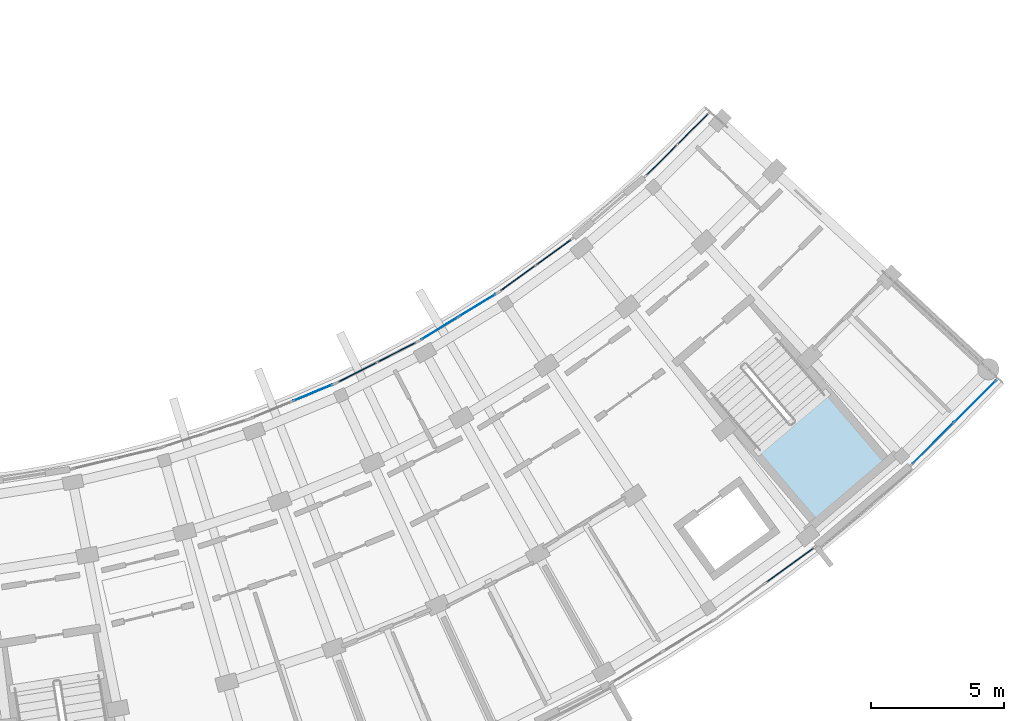
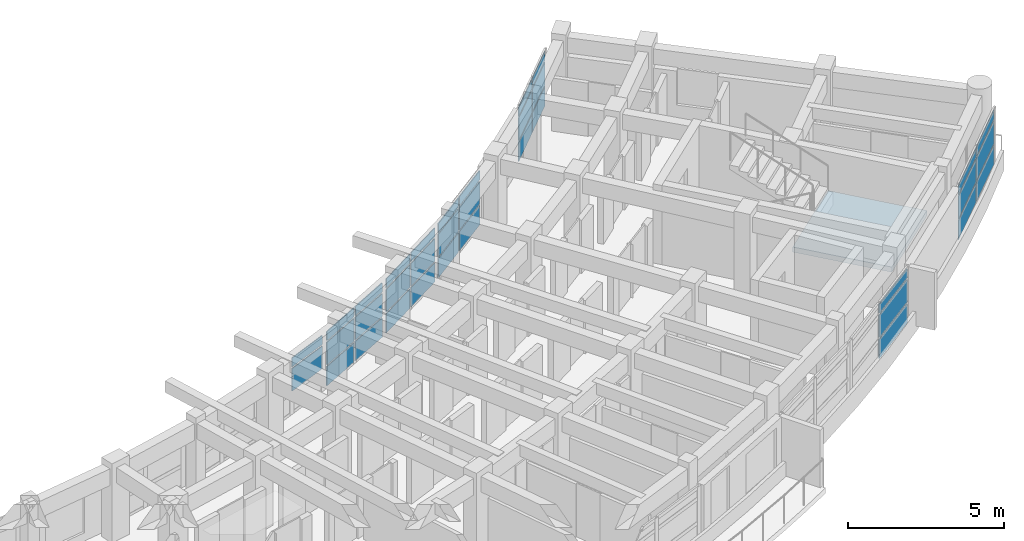
# One storey, part 27 of 55: 35 plates, 1 slab, 8 elements without a shape of their own.
"""IFC4 building model written with IfcOpenShell, lengths in metres."""

from ifc_helpers import new_model, si_unit, direction, frame, origin, origin_2d, place, context, subcontext, project, spatial, polyline, rectangle, outline, extrude, material, layer, layer_set, type_object, element, aggregate, save


model = new_model("IFC4")

# Units and contexts
model_context = context("Model", 3, precision=1e-05, world=origin(), true_north=direction((0.0, 1.0)))
body_context = subcontext(model_context, "Body", "Model", "MODEL_VIEW")
ifc_project = project(units=[si_unit("LENGTHUNIT", "METRE"), si_unit("AREAUNIT", "SQUARE_METRE"), si_unit("VOLUMEUNIT", "CUBIC_METRE"), si_unit("PLANEANGLEUNIT", "RADIAN"), si_unit("MASSUNIT", "GRAM", prefix="KILO")], contexts=[model_context])

# Site, building, storey
site_placement = place(None, origin())
site = spatial("IfcSite", under=ifc_project, at=site_placement, CompositionType="ELEMENT")
building_placement = place(site_placement, origin())
building = spatial("IfcBuilding", under=site, at=building_placement, Name="Zimvara Arc Housing Community", CompositionType="ELEMENT")
storey_placement = place(building_placement, frame((0.0, 0.0, 14.300048828125)))
storey = spatial("IfcBuildingStorey", under=building, at=storey_placement, Name="L04", CompositionType="ELEMENT", Elevation=14.300048828125)

# Curtain wall, plates
ifc_material_1 = material(Name="Anodised Aluminium AW-6063", Category="aluminium")
curtain_wall_type_1 = type_object("IfcCurtainWallType", Name="CW-SYS-08", PredefinedType="USERDEFINED", material=ifc_material_1)
curtain_wall_1_placement = place(storey_placement, origin())
curtain_wall_1 = element("IfcCurtainWall", 1, at=curtain_wall_1_placement, inside=storey, type_object=curtain_wall_type_1, Name="cw:blkD:L04:in:b5", ObjectType="CURTAIN WALL", PredefinedType="USERDEFINED")
ifc_material_2 = material(Name="Pale-Gold Anodised Aluminium Spandrel Panel", Category="aluminium")
ifc_layer_1 = layer(ifc_material_2, 0.035888671875)
ifc_layer_set_1 = layer_set([ifc_layer_1], Name="Pale-Gold Anodised Aluminium Spandrel Panel")
plate_type_1 = type_object("IfcPlateType", Name="CWP-GLD-36", PredefinedType="CURTAIN_PANEL", material=ifc_layer_set_1)
plate_1_placement = place(storey_placement, frame((145.447265625, 69.740234375, 0.06494140625), z_axis=(0.0, 0.0, 1.0), x_axis=(0.89140306074, 0.453211411267, 0.0)))
plate_1 = element("IfcPlate", 2, at=plate_1_placement, type_object=plate_type_1, Name="CW08 panel 1.1", PredefinedType="CURTAIN_PANEL", context=body_context, shape_type="SweptSolid", body=[
    extrude(rectangle(XDim=1.59423828125, YDim=0.035888671875, at=origin_2d()), origin(), (0.0, 0.0, 1.0), 0.75244140625),
])
plate_2_placement = place(storey_placement, frame((145.447265625, 69.740234375, 0.88232421875), z_axis=(0.0, 0.0, 1.0), x_axis=(0.89140306074, 0.453211411267, 0.0)))
plate_2 = element("IfcPlate", 3, at=plate_2_placement, type_object=plate_type_1, Name="CW08 panel 1.2", PredefinedType="CURTAIN_PANEL", context=body_context, shape_type="SweptSolid", body=[
    extrude(rectangle(XDim=1.59423828125, YDim=0.035888671875, at=origin_2d()), origin(), (0.0, 0.0, 1.0), 0.885009765625),
])
plate_3_placement = place(storey_placement, frame((145.447265625, 69.740234375, 1.83251953125), z_axis=(0.0, 0.0, 1.0), x_axis=(0.89140306074, 0.453211411267, 0.0)))
plate_3 = element("IfcPlate", 4, at=plate_3_placement, type_object=plate_type_1, Name="CW08 panel 1.3", PredefinedType="CURTAIN_PANEL", context=body_context, shape_type="SweptSolid", body=[
    extrude(rectangle(XDim=1.59423828125, YDim=0.035888671875, at=origin_2d()), origin(), (0.0, 0.0, 1.0), 0.3525390625),
])
plate_4_placement = place(storey_placement, frame((146.92626953125, 70.4921875, 0.06494140625), z_axis=(0.0, 0.0, 1.0), x_axis=(0.89140306074, 0.453211411267, 0.0)))
plate_4 = element("IfcPlate", 5, at=plate_4_placement, type_object=plate_type_1, Name="CW08 panel 2.1", PredefinedType="CURTAIN_PANEL", context=body_context, shape_type="SweptSolid", body=[
    extrude(rectangle(XDim=1.59423828125, YDim=0.035888671875, at=origin_2d()), origin(), (0.0, 0.0, 1.0), 0.75244140625),
])
plate_5_placement = place(storey_placement, frame((146.92626953125, 70.4921875, 0.88232421875), z_axis=(0.0, 0.0, 1.0), x_axis=(0.89140306074, 0.453211411267, 0.0)))
plate_5 = element("IfcPlate", 6, at=plate_5_placement, type_object=plate_type_1, Name="CW08 panel 2.2", PredefinedType="CURTAIN_PANEL", context=body_context, shape_type="SweptSolid", body=[
    extrude(rectangle(XDim=1.59423828125, YDim=0.035888671875, at=origin_2d()), origin(), (0.0, 0.0, 1.0), 0.885009765625),
])
plate_6_placement = place(storey_placement, frame((146.92626953125, 70.4921875, 1.83251953125), z_axis=(0.0, 0.0, 1.0), x_axis=(0.89140306074, 0.453211411267, 0.0)))
plate_6 = element("IfcPlate", 7, at=plate_6_placement, type_object=plate_type_1, Name="CW08 panel 2.3", PredefinedType="CURTAIN_PANEL", context=body_context, shape_type="SweptSolid", body=[
    extrude(rectangle(XDim=1.59423828125, YDim=0.035888671875, at=origin_2d()), origin(), (0.0, 0.0, 1.0), 0.3525390625),
])
aggregate(curtain_wall_1, [plate_1, plate_2, plate_3, plate_4, plate_5, plate_6])

ifc_material_3 = material(Name="Anodised Aluminium AW-6063", Category="aluminium")
curtain_wall_type_2 = type_object("IfcCurtainWallType", Name="CW-SYS-04", PredefinedType="USERDEFINED", material=ifc_material_3)
curtain_wall_2_placement = place(storey_placement, origin())
curtain_wall_2 = element("IfcCurtainWall", 8, at=curtain_wall_2_placement, inside=storey, type_object=curtain_wall_type_2, Name="cw:blkD:L04:in:b7", ObjectType="CURTAIN WALL", PredefinedType="USERDEFINED")
plate_7_placement = place(storey_placement, frame((151.483642578125, 73.279541015625, 0.06494140625), z_axis=(0.0, 0.0, 1.0), x_axis=(0.809529396709, 0.587079343755, 0.0)))
plate_7 = element("IfcPlate", 9, at=plate_7_placement, type_object=plate_type_1, Name="CW04 panel 1.1", PredefinedType="CURTAIN_PANEL", context=body_context, shape_type="SweptSolid", body=[
    extrude(rectangle(XDim=1.59423828125, YDim=0.035888671875, at=origin_2d()), origin(), (0.0, 0.0, 1.0), 0.75244140625),
])
plate_8_placement = place(storey_placement, frame((151.483642578125, 73.279541015625, 0.88232421875), z_axis=(0.0, 0.0, 1.0), x_axis=(0.809529396709, 0.587079343755, 0.0)))
plate_8 = element("IfcPlate", 10, at=plate_8_placement, type_object=plate_type_1, Name="CW04 panel 1.2", PredefinedType="CURTAIN_PANEL", context=body_context, shape_type="SweptSolid", body=[
    extrude(rectangle(XDim=1.59423828125, YDim=0.035888671875, at=origin_2d()), origin(), (0.0, 0.0, 1.0), 0.885009765625),
])
plate_9_placement = place(storey_placement, frame((151.483642578125, 73.279541015625, 1.83251953125), z_axis=(0.0, 0.0, 1.0), x_axis=(0.809529396709, 0.587079343755, 0.0)))
plate_9 = element("IfcPlate", 11, at=plate_9_placement, type_object=plate_type_1, Name="CW04 panel 1.3", PredefinedType="CURTAIN_PANEL", context=body_context, shape_type="SweptSolid", body=[
    extrude(rectangle(XDim=1.59423828125, YDim=0.035888671875, at=origin_2d()), origin(), (0.0, 0.0, 1.0), 0.3525390625),
])
plate_10_placement = place(storey_placement, frame((152.826904296875, 74.253662109375, 0.06494140625), z_axis=(0.0, 0.0, 1.0), x_axis=(0.809529396709, 0.587079343755, 0.0)))
plate_10 = element("IfcPlate", 12, at=plate_10_placement, type_object=plate_type_1, Name="CW04 panel 2.1", PredefinedType="CURTAIN_PANEL", context=body_context, shape_type="SweptSolid", body=[
    extrude(rectangle(XDim=1.59423828125, YDim=0.035888671875, at=origin_2d()), origin(), (0.0, 0.0, 1.0), 0.75244140625),
])
plate_11_placement = place(storey_placement, frame((152.826904296875, 74.253662109375, 0.88232421875), z_axis=(0.0, 0.0, 1.0), x_axis=(0.809529396709, 0.587079343755, 0.0)))
plate_11 = element("IfcPlate", 13, at=plate_11_placement, type_object=plate_type_1, Name="CW04 panel 2.2", PredefinedType="CURTAIN_PANEL", context=body_context, shape_type="SweptSolid", body=[
    extrude(rectangle(XDim=1.59423828125, YDim=0.035888671875, at=origin_2d()), origin(), (0.0, 0.0, 1.0), 0.885009765625),
])
plate_12_placement = place(storey_placement, frame((152.826904296875, 74.253662109375, 1.83251953125), z_axis=(0.0, 0.0, 1.0), x_axis=(0.809529396709, 0.587079343755, 0.0)))
plate_12 = element("IfcPlate", 14, at=plate_12_placement, type_object=plate_type_1, Name="CW04 panel 2.3", PredefinedType="CURTAIN_PANEL", context=body_context, shape_type="SweptSolid", body=[
    extrude(rectangle(XDim=1.59423828125, YDim=0.035888671875, at=origin_2d()), origin(), (0.0, 0.0, 1.0), 0.3525390625),
])
aggregate(curtain_wall_2, [plate_7, plate_8, plate_9, plate_10, plate_11, plate_12])

ifc_material_4 = material(Name="Anodised Aluminium AW-6063", Category="aluminium")
curtain_wall_type_3 = type_object("IfcCurtainWallType", Name="CW-SYS-05", PredefinedType="USERDEFINED", material=ifc_material_4)
curtain_wall_3_placement = place(storey_placement, origin())
curtain_wall_3 = element("IfcCurtainWall", 15, at=curtain_wall_3_placement, inside=storey, type_object=curtain_wall_type_3, Name="cw:blkD:L04:out:b9", ObjectType="CURTAIN WALL", PredefinedType="USERDEFINED")
ifc_material_5 = material(Name="Solar Control Low-E Double Glazing", Category="glass")
ifc_layer_2 = layer(ifc_material_5, 0.02392578125)
ifc_layer_set_2 = layer_set([ifc_layer_2], Name="Solar Control Low-E Double Glazing")
plate_type_2 = type_object("IfcPlateType", Name="CWP-GLZ-24", PredefinedType="CURTAIN_PANEL", material=ifc_layer_set_2)
plate_13_placement = place(storey_placement, frame((167.106689453125, 67.076904296875, 0.06494140625), z_axis=(0.0, 0.0, 1.0), x_axis=(0.707724012233, 0.706489010891, 0.0)))
plate_13 = element("IfcPlate", 16, at=plate_13_placement, type_object=plate_type_2, Name="CW05 panel 1.1", PredefinedType="CURTAIN_PANEL", context=body_context, shape_type="SweptSolid", body=[
    extrude(rectangle(XDim=2.173828125, YDim=0.02392578125, at=origin_2d()), origin(), (0.0, 0.0, 1.0), 0.75244140625),
])
plate_14_placement = place(storey_placement, frame((167.106689453125, 67.076904296875, 0.88232421875), z_axis=(0.0, 0.0, 1.0), x_axis=(0.707724012233, 0.706489010891, 0.0)))
plate_14 = element("IfcPlate", 17, at=plate_14_placement, type_object=plate_type_2, Name="CW05 panel 1.2", PredefinedType="CURTAIN_PANEL", context=body_context, shape_type="SweptSolid", body=[
    extrude(rectangle(XDim=2.173828125, YDim=0.02392578125, at=origin_2d()), origin(), (0.0, 0.0, 1.0), 0.885009765625),
])
plate_15_placement = place(storey_placement, frame((167.106689453125, 67.076904296875, 1.83251953125), z_axis=(0.0, 0.0, 1.0), x_axis=(0.707724012233, 0.706489010891, 0.0)))
plate_15 = element("IfcPlate", 18, at=plate_15_placement, type_object=plate_type_2, Name="CW05 panel 1.3", PredefinedType="CURTAIN_PANEL", context=body_context, shape_type="SweptSolid", body=[
    extrude(rectangle(XDim=2.173828125, YDim=0.02392578125, at=origin_2d()), origin(), (0.0, 0.0, 1.0), 0.3525390625),
])
plate_16_placement = place(storey_placement, frame((168.691162109375, 68.65869140625, 0.06494140625), z_axis=(0.0, 0.0, 1.0), x_axis=(0.707724012233, 0.706489010891, 0.0)))
plate_16 = element("IfcPlate", 19, at=plate_16_placement, type_object=plate_type_2, Name="CW05 panel 2.1", PredefinedType="CURTAIN_PANEL", context=body_context, shape_type="SweptSolid", body=[
    extrude(rectangle(XDim=2.173828125, YDim=0.02392578125, at=origin_2d()), origin(), (0.0, 0.0, 1.0), 0.75244140625),
])
plate_17_placement = place(storey_placement, frame((168.691162109375, 68.65869140625, 0.88232421875), z_axis=(0.0, 0.0, 1.0), x_axis=(0.707724012233, 0.706489010891, 0.0)))
plate_17 = element("IfcPlate", 20, at=plate_17_placement, type_object=plate_type_2, Name="CW05 panel 2.2", PredefinedType="CURTAIN_PANEL", context=body_context, shape_type="SweptSolid", body=[
    extrude(rectangle(XDim=2.173828125, YDim=0.02392578125, at=origin_2d()), origin(), (0.0, 0.0, 1.0), 0.885009765625),
])
plate_18_placement = place(storey_placement, frame((168.691162109375, 68.65869140625, 1.83251953125), z_axis=(0.0, 0.0, 1.0), x_axis=(0.707724012233, 0.706489010891, 0.0)))
plate_18 = element("IfcPlate", 21, at=plate_18_placement, type_object=plate_type_2, Name="CW05 panel 2.3", PredefinedType="CURTAIN_PANEL", context=body_context, shape_type="SweptSolid", body=[
    extrude(rectangle(XDim=2.173828125, YDim=0.02392578125, at=origin_2d()), origin(), (0.0, 0.0, 1.0), 0.3525390625),
])
aggregate(curtain_wall_3, [plate_13, plate_14, plate_15, plate_16, plate_17, plate_18])

ifc_material_6 = material(Name="Anodised Aluminium AW-6063", Category="aluminium")
curtain_wall_type_4 = type_object("IfcCurtainWallType", Name="CW-SYS-02", PredefinedType="USERDEFINED", material=ifc_material_6)
curtain_wall_4_placement = place(storey_placement, origin())
curtain_wall_4 = element("IfcCurtainWall", 22, at=curtain_wall_4_placement, inside=storey, type_object=curtain_wall_type_4, Name="cw:blkD:L04:in:b6", ObjectType="CURTAIN WALL", PredefinedType="USERDEFINED")
ifc_material_7 = material(Name="Solar Control Low-E Double Glazing", Category="glass")
ifc_layer_3 = layer(ifc_material_7, 0.028076171875)
ifc_layer_set_3 = layer_set([ifc_layer_3], Name="Solar Control Low-E Double Glazing")
plate_type_3 = type_object("IfcPlateType", Name="CWP-GLZ-28", PredefinedType="CURTAIN_PANEL", material=ifc_layer_set_3)
plate_19_placement = place(storey_placement, frame((148.534912109375, 71.391357421875, 0.06494140625), z_axis=(0.0, 0.0, 1.0), x_axis=(0.853095849943, 0.521754224526, 0.0)))
plate_19 = element("IfcPlate", 23, at=plate_19_placement, type_object=plate_type_3, Name="CW02 panel 1.1", PredefinedType="CURTAIN_PANEL", context=body_context, shape_type="SweptSolid", body=[
    extrude(rectangle(XDim=1.59423828125, YDim=0.028076171875, at=origin_2d()), origin(), (0.0, 0.0, 1.0), 0.75244140625),
])
plate_20_placement = place(storey_placement, frame((148.534912109375, 71.391357421875, 0.88232421875), z_axis=(0.0, 0.0, 1.0), x_axis=(0.853095849943, 0.521754224526, 0.0)))
plate_20 = element("IfcPlate", 24, at=plate_20_placement, type_object=plate_type_3, Name="CW02 panel 1.2", PredefinedType="CURTAIN_PANEL", context=body_context, shape_type="SweptSolid", body=[
    extrude(rectangle(XDim=1.59423828125, YDim=0.028076171875, at=origin_2d()), origin(), (0.0, 0.0, 1.0), 0.885009765625),
])
plate_21_placement = place(storey_placement, frame((148.534912109375, 71.391357421875, 1.83251953125), z_axis=(0.0, 0.0, 1.0), x_axis=(0.853095849943, 0.521754224526, 0.0)))
plate_21 = element("IfcPlate", 25, at=plate_21_placement, type_object=plate_type_3, Name="CW02 panel 1.3", PredefinedType="CURTAIN_PANEL", context=body_context, shape_type="SweptSolid", body=[
    extrude(rectangle(XDim=1.59423828125, YDim=0.028076171875, at=origin_2d()), origin(), (0.0, 0.0, 1.0), 0.3525390625),
])
plate_22_placement = place(storey_placement, frame((149.950439453125, 72.257080078125, 0.06494140625), z_axis=(0.0, 0.0, 1.0), x_axis=(0.853095849943, 0.521754224526, 0.0)))
plate_22 = element("IfcPlate", 26, at=plate_22_placement, type_object=plate_type_3, Name="CW02 panel 2.1", PredefinedType="CURTAIN_PANEL", context=body_context, shape_type="SweptSolid", body=[
    extrude(rectangle(XDim=1.59423828125, YDim=0.028076171875, at=origin_2d()), origin(), (0.0, 0.0, 1.0), 0.75244140625),
])
plate_23_placement = place(storey_placement, frame((149.950439453125, 72.257080078125, 0.88232421875), z_axis=(0.0, 0.0, 1.0), x_axis=(0.853095849943, 0.521754224526, 0.0)))
plate_23 = element("IfcPlate", 27, at=plate_23_placement, type_object=plate_type_3, Name="CW02 panel 2.2", PredefinedType="CURTAIN_PANEL", context=body_context, shape_type="SweptSolid", body=[
    extrude(rectangle(XDim=1.59423828125, YDim=0.028076171875, at=origin_2d()), origin(), (0.0, 0.0, 1.0), 0.885009765625),
])
plate_24_placement = place(storey_placement, frame((149.950439453125, 72.257080078125, 1.83251953125), z_axis=(0.0, 0.0, 1.0), x_axis=(0.853095849943, 0.521754224526, 0.0)))
plate_24 = element("IfcPlate", 28, at=plate_24_placement, type_object=plate_type_3, Name="CW02 panel 2.3", PredefinedType="CURTAIN_PANEL", context=body_context, shape_type="SweptSolid", body=[
    extrude(rectangle(XDim=1.59423828125, YDim=0.028076171875, at=origin_2d()), origin(), (0.0, 0.0, 1.0), 0.3525390625),
])
aggregate(curtain_wall_4, [plate_19, plate_20, plate_21, plate_22, plate_23, plate_24])

ifc_material_8 = material(Name="Anodised Aluminium AW-6063", Category="aluminium")
curtain_wall_type_5 = type_object("IfcCurtainWallType", Name="CW-SYS-06", PredefinedType="USERDEFINED", material=ifc_material_8)
curtain_wall_5_placement = place(storey_placement, origin())
curtain_wall_5 = element("IfcCurtainWall", 29, at=curtain_wall_5_placement, inside=storey, type_object=curtain_wall_type_5, Name="cw:blkD:L04:in:b9", ObjectType="CURTAIN WALL", PredefinedType="USERDEFINED")
plate_25_placement = place(storey_placement, frame((156.89208984375, 77.719482421875, 0.06494140625), z_axis=(0.0, 0.0, 1.0), x_axis=(0.707722730729, 0.706490294632, 0.0)))
plate_25 = element("IfcPlate", 30, at=plate_25_placement, type_object=plate_type_3, Name="CW06 panel 1.1", PredefinedType="CURTAIN_PANEL", context=body_context, shape_type="SweptSolid", body=[
    extrude(rectangle(XDim=1.59423828125, YDim=0.028076171875, at=origin_2d()), origin(), (0.0, 0.0, 1.0), 0.75244140625),
])
plate_26_placement = place(storey_placement, frame((156.89208984375, 77.719482421875, 0.88232421875), z_axis=(0.0, 0.0, 1.0), x_axis=(0.707722730729, 0.706490294632, 0.0)))
plate_26 = element("IfcPlate", 31, at=plate_26_placement, type_object=plate_type_3, Name="CW06 panel 1.2", PredefinedType="CURTAIN_PANEL", context=body_context, shape_type="SweptSolid", body=[
    extrude(rectangle(XDim=1.59423828125, YDim=0.028076171875, at=origin_2d()), origin(), (0.0, 0.0, 1.0), 0.885009765625),
])
plate_27_placement = place(storey_placement, frame((156.89208984375, 77.719482421875, 1.83251953125), z_axis=(0.0, 0.0, 1.0), x_axis=(0.707722730729, 0.706490294632, 0.0)))
plate_27 = element("IfcPlate", 32, at=plate_27_placement, type_object=plate_type_3, Name="CW06 panel 1.3", PredefinedType="CURTAIN_PANEL", context=body_context, shape_type="SweptSolid", body=[
    extrude(rectangle(XDim=1.59423828125, YDim=0.028076171875, at=origin_2d()), origin(), (0.0, 0.0, 1.0), 0.3525390625),
])
plate_28_placement = place(storey_placement, frame((158.06640625, 78.891845703125, 0.06494140625), z_axis=(0.0, 0.0, 1.0), x_axis=(0.707722730729, 0.706490294632, 0.0)))
plate_28 = element("IfcPlate", 33, at=plate_28_placement, type_object=plate_type_3, Name="CW06 panel 2.1", PredefinedType="CURTAIN_PANEL", context=body_context, shape_type="SweptSolid", body=[
    extrude(rectangle(XDim=1.59423828125, YDim=0.028076171875, at=origin_2d()), origin(), (0.0, 0.0, 1.0), 0.75244140625),
])
plate_29_placement = place(storey_placement, frame((158.06640625, 78.891845703125, 0.88232421875), z_axis=(0.0, 0.0, 1.0), x_axis=(0.707722730729, 0.706490294632, 0.0)))
plate_29 = element("IfcPlate", 34, at=plate_29_placement, type_object=plate_type_3, Name="CW06 panel 2.2", PredefinedType="CURTAIN_PANEL", context=body_context, shape_type="SweptSolid", body=[
    extrude(rectangle(XDim=1.59423828125, YDim=0.028076171875, at=origin_2d()), origin(), (0.0, 0.0, 1.0), 0.885009765625),
])
plate_30_placement = place(storey_placement, frame((158.06640625, 78.891845703125, 1.83251953125), z_axis=(0.0, 0.0, 1.0), x_axis=(0.707722730729, 0.706490294632, 0.0)))
plate_30 = element("IfcPlate", 35, at=plate_30_placement, type_object=plate_type_3, Name="CW06 panel 2.3", PredefinedType="CURTAIN_PANEL", context=body_context, shape_type="SweptSolid", body=[
    extrude(rectangle(XDim=1.59423828125, YDim=0.028076171875, at=origin_2d()), origin(), (0.0, 0.0, 1.0), 0.3525390625),
])
aggregate(curtain_wall_5, [plate_25, plate_26, plate_27, plate_28, plate_29, plate_30])

ifc_material_9 = material(Name="Anodised Aluminium AW-6063", Category="aluminium")
curtain_wall_type_6 = type_object("IfcCurtainWallType", Name="CW-SYS-07", PredefinedType="USERDEFINED", material=ifc_material_9)
curtain_wall_6_placement = place(storey_placement, origin())
curtain_wall_6 = element("IfcCurtainWall", 36, at=curtain_wall_6_placement, inside=storey, type_object=curtain_wall_type_6, Name="cw:blkD:L04:in:b4", ObjectType="CURTAIN WALL", PredefinedType="USERDEFINED")
ifc_material_10 = material(Name="Acoustic Laminated Solar Glazing", Category="glass")
ifc_layer_4 = layer(ifc_material_10, 0.031982421875)
ifc_layer_set_4 = layer_set([ifc_layer_4], Name="Acoustic Laminated Solar Glazing")
plate_type_4 = type_object("IfcPlateType", Name="CWP-GLZ-32", PredefinedType="CURTAIN_PANEL", material=ifc_layer_set_4)
plate_31_placement = place(storey_placement, frame((143.77294921875, 68.97021484375, 0.88232421875), z_axis=(0.0, 0.0, 1.0), x_axis=(0.924213086235, 0.381877167728, 0.0)))
plate_31 = element("IfcPlate", 37, at=plate_31_placement, type_object=plate_type_4, Name="CW07 panel 2.2", PredefinedType="CURTAIN_PANEL", context=body_context, shape_type="SweptSolid", body=[
    extrude(rectangle(XDim=1.59423828125, YDim=0.031982421875, at=origin_2d()), origin(), (0.0, 0.0, 1.0), 0.885009765625),
])
plate_32_placement = place(storey_placement, frame((143.77294921875, 68.97021484375, 1.83251953125), z_axis=(0.0, 0.0, 1.0), x_axis=(0.924213086235, 0.381877167728, 0.0)))
plate_32 = element("IfcPlate", 38, at=plate_32_placement, type_object=plate_type_4, Name="CW07 panel 2.3", PredefinedType="CURTAIN_PANEL", context=body_context, shape_type="SweptSolid", body=[
    extrude(rectangle(XDim=1.59423828125, YDim=0.031982421875, at=origin_2d()), origin(), (0.0, 0.0, 1.0), 0.3525390625),
])
aggregate(curtain_wall_6, [plate_31, plate_32])

ifc_material_11 = material(Name="Anodised Aluminium AW-6063", Category="aluminium")
curtain_wall_type_7 = type_object("IfcCurtainWallType", Name="CW-SYS-03", PredefinedType="USERDEFINED", material=ifc_material_11)
curtain_wall_7_placement = place(storey_placement, origin())
curtain_wall_7 = element("IfcCurtainWall", 39, at=curtain_wall_7_placement, inside=storey, type_object=curtain_wall_type_7, Name="cw:blkD:L04:out:b7", ObjectType="CURTAIN WALL", PredefinedType="USERDEFINED")
plate_33_placement = place(storey_placement, frame((161.719970703125, 62.484375, 0.06494140625), z_axis=(0.0, 0.0, 1.0), x_axis=(0.809530431263, 0.587077917196, 0.0)))
plate_33 = element("IfcPlate", 40, at=plate_33_placement, type_object=plate_type_4, Name="CW03 panel 2.1", PredefinedType="CURTAIN_PANEL", context=body_context, shape_type="SweptSolid", body=[
    extrude(rectangle(XDim=2.173828125, YDim=0.031982421875, at=origin_2d()), origin(), (0.0, 0.0, 1.0), 0.75244140625),
])
plate_34_placement = place(storey_placement, frame((161.719970703125, 62.484375, 0.88232421875), z_axis=(0.0, 0.0, 1.0), x_axis=(0.809530431263, 0.587077917196, 0.0)))
plate_34 = element("IfcPlate", 41, at=plate_34_placement, type_object=plate_type_4, Name="CW03 panel 2.2", PredefinedType="CURTAIN_PANEL", context=body_context, shape_type="SweptSolid", body=[
    extrude(rectangle(XDim=2.173828125, YDim=0.031982421875, at=origin_2d()), origin(), (0.0, 0.0, 1.0), 0.885009765625),
])
plate_35_placement = place(storey_placement, frame((161.719970703125, 62.484375, 1.83251953125), z_axis=(0.0, 0.0, 1.0), x_axis=(0.809530431263, 0.587077917196, 0.0)))
plate_35 = element("IfcPlate", 42, at=plate_35_placement, type_object=plate_type_4, Name="CW03 panel 2.3", PredefinedType="CURTAIN_PANEL", context=body_context, shape_type="SweptSolid", body=[
    extrude(rectangle(XDim=2.173828125, YDim=0.031982421875, at=origin_2d()), origin(), (0.0, 0.0, 1.0), 0.3525390625),
])
aggregate(curtain_wall_7, [plate_33, plate_34, plate_35])

# Stair, slab
ifc_material_12 = material(Name="Concrete C35/45", Category="concrete")
stair_type = type_object("IfcStairType", Name="STR-DL-312-310", PredefinedType="HALF_TURN_STAIR", material=ifc_material_12)
stair_placement = place(storey_placement, origin())
stair = element("IfcStair", 43, at=stair_placement, inside=storey, type_object=stair_type, Name="L04 Block D Exit Stair 2", PredefinedType="HALF_TURN_STAIR")
ifc_material_13 = material(Name="Concrete C35/45", Category="concrete")
ifc_layer_5 = layer(ifc_material_13, 0.199951171875)
ifc_layer_set_5 = layer_set([ifc_layer_5], Name="Concrete C35/45")
slab_type = type_object("IfcSlabType", Name="SLB-STAIR-LND-200", PredefinedType="LANDING", material=ifc_layer_set_5)
slab_placement = place(storey_placement, frame((0.0, 0.0, 1.349853515625)))
slab = element("IfcSlab", 44, at=slab_placement, type_object=slab_type, Name="ST-D2 landing 1", PredefinedType="LANDING", context=body_context, shape_type="SweptSolid", body=[
    extrude(outline(polyline([(160.49365234375, 66.788818359375), (162.681396484375, 64.22265625), (165.23828125, 66.402587890625), (163.050537109375, 68.96875), (160.49365234375, 66.788818359375)])), origin(), (0.0, 0.0, 1.0), 0.2001953125),
])
aggregate(stair, [slab])

save(model, "model.ifc")
